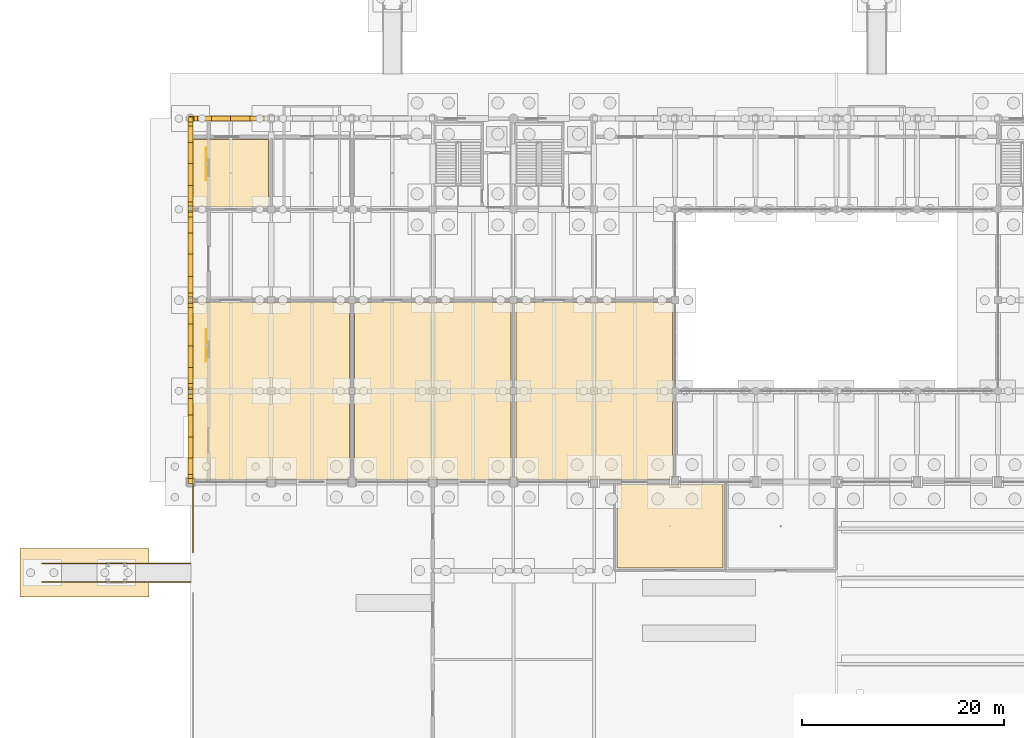
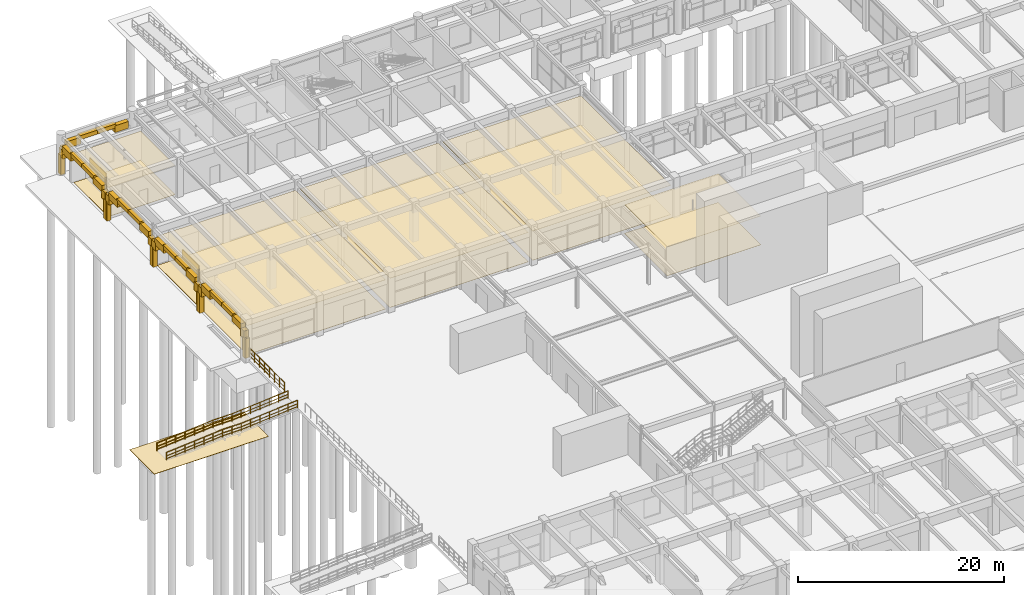
# One storey, part 137 of 147: 49 coverings, 3 railings, 2 shading devices.
"""IFC4 building model written with IfcOpenShell, lengths in metres."""

from ifc_helpers import new_model, si_unit, direction, frame, origin, origin_2d, place, context, subcontext, project, spatial, polyline, rectangle, circle, outline, extrude, material, layer, layer_set, type_object, element, save


model = new_model("IFC4")

# Units and contexts
model_context = context("Model", 3, precision=1e-05, world=origin(), true_north=direction((0.0, 1.0)))
body_context = subcontext(model_context, "Body", "Model", "MODEL_VIEW")
ifc_project = project(units=[si_unit("LENGTHUNIT", "METRE"), si_unit("AREAUNIT", "SQUARE_METRE"), si_unit("VOLUMEUNIT", "CUBIC_METRE"), si_unit("PLANEANGLEUNIT", "RADIAN"), si_unit("MASSUNIT", "GRAM", prefix="KILO")], contexts=[model_context])

# Site, building, storey
site_placement = place(None, origin())
site = spatial("IfcSite", under=ifc_project, at=site_placement, CompositionType="ELEMENT")
building_placement = place(site_placement, origin())
building = spatial("IfcBuilding", under=site, at=building_placement, Name="Varnabhumi Central Station", CompositionType="ELEMENT")
storey_placement = place(building_placement, origin())
storey = spatial("IfcBuildingStorey", under=building, at=storey_placement, Name="L00", CompositionType="ELEMENT", Elevation=0.0)

# Coverings
ifc_material_1 = material(Name="Mineral-fibre acoustic tile")
ifc_layer_1 = layer(ifc_material_1, 0.02490234375, Name="Mineral-fibre acoustic tile")
ifc_layer_set_1 = layer_set([ifc_layer_1], Name="Mineral-fibre acoustic tile")
covering_type_1 = type_object("IfcCoveringType", Name="COV-CEIL-ACOUSTIC", PredefinedType="CEILING", material=ifc_layer_set_1)
covering_1_placement = place(storey_placement, frame((0.0, 0.0, 3.419921875)))
element("IfcCovering", 1, at=covering_1_placement, inside=storey, type_object=covering_type_1, Name="Divyangjan Help Booth and Enquiry Acoustic Ceiling", PredefinedType="CEILING", context=body_context, shape_type="SweptSolid", body=[
    extrude(outline(polyline([(42.25, 71.449951171875), (52.75, 71.449951171875), (52.75, 79.75), (42.25, 79.75), (42.25, 71.449951171875)])), origin(), (0.0, 0.0, 1.0), 0.025146484375),
])
covering_2_placement = place(storey_placement, frame((0.0, 0.0, 3.469970703125)))
element("IfcCovering", 2, at=covering_2_placement, inside=storey, type_object=covering_type_1, Name="Station First Aid and Medical Room Acoustic Ceiling", PredefinedType="CEILING", context=body_context, shape_type="SweptSolid", body=[
    extrude(outline(polyline([(0.25, 107.25), (7.75, 107.25), (7.75, 113.949951171875), (0.25, 113.949951171875), (0.25, 107.25)])), origin(), (0.0, 0.0, 1.0), 0.025146484375),
])
covering_3_placement = place(storey_placement, frame((0.0, 0.0, 3.469970703125)))
element("IfcCovering", 3, at=covering_3_placement, inside=storey, type_object=covering_type_1, Name="Travel Convenience Shop 04 Acoustic Ceiling", PredefinedType="CEILING", context=body_context, shape_type="SweptSolid", body=[
    extrude(outline(polyline([(0.25, 80.25), (15.75, 80.25), (15.75, 97.75), (0.25, 97.75), (0.25, 80.25)])), origin(), (0.0, 0.0, 1.0), 0.025146484375),
])
covering_4_placement = place(storey_placement, frame((0.0, 0.0, 3.469970703125)))
element("IfcCovering", 4, at=covering_4_placement, inside=storey, type_object=covering_type_1, Name="Bakery and Tea Kiosk Acoustic Ceiling", PredefinedType="CEILING", context=body_context, shape_type="SweptSolid", body=[
    extrude(outline(polyline([(16.25, 80.25), (31.75, 80.25), (31.75, 97.75), (16.25, 97.75), (16.25, 80.25)])), origin(), (0.0, 0.0, 1.0), 0.025146484375),
])
covering_5_placement = place(storey_placement, frame((0.0, 0.0, 3.469970703125)))
element("IfcCovering", 5, at=covering_5_placement, inside=storey, type_object=covering_type_1, Name="Luggage and Travel Gear Shop Acoustic Ceiling", PredefinedType="CEILING", context=body_context, shape_type="SweptSolid", body=[
    extrude(outline(polyline([(32.25, 80.25), (47.75, 80.25), (47.75, 97.75), (32.25, 97.75), (32.25, 80.25)])), origin(), (0.0, 0.0, 1.0), 0.025146484375),
])
ifc_material_2 = material(Name="Vitrified granite stone flooring", Category="masonry")
ifc_layer_2 = layer(ifc_material_2, 0.030029296875, Name="Vitrified granite stone flooring", Category="masonry")
ifc_layer_set_2 = layer_set([ifc_layer_2], Name="Vitrified granite stone flooring")
covering_type_2 = type_object("IfcCoveringType", Name="COV-FLOR-GRANITE", PredefinedType="FLOORING", material=ifc_layer_set_2)
covering_6_placement = place(storey_placement, frame((0.0, 0.0, -1.0849609375)))
element("IfcCovering", 6, at=covering_6_placement, inside=storey, type_object=covering_type_2, Name="Street Forecourt Granite Plaza Apron RMP-FC-N", PredefinedType="FLOORING", context=body_context, shape_type="SweptSolid", body=[
    extrude(outline(polyline([(-16.89990234375, 68.60009765625), (-4.10009765625, 68.60009765625), (-4.10009765625, 73.39990234375), (-16.89990234375, 73.39990234375), (-16.89990234375, 68.60009765625)])), origin(), (0.0, 0.0, 1.0), 0.034912109375),
])
covering_7_placement = place(storey_placement, origin())
element("IfcCovering", 7, at=covering_7_placement, inside=storey, type_object=covering_type_2, Name="Divyangjan Help Booth and Enquiry Granite Flooring", PredefinedType="FLOORING", context=body_context, shape_type="SweptSolid", body=[
    extrude(outline(polyline([(42.25, 71.449951171875), (52.75, 71.449951171875), (52.75, 79.75), (42.25, 79.75), (42.25, 71.449951171875)])), origin(), (0.0, 0.0, 1.0), 0.030029296875),
])
covering_8_placement = place(storey_placement, origin())
element("IfcCovering", 8, at=covering_8_placement, inside=storey, type_object=covering_type_2, Name="Station First Aid and Medical Room Granite Flooring", PredefinedType="FLOORING", context=body_context, shape_type="SweptSolid", body=[
    extrude(outline(polyline([(0.25, 107.25), (7.75, 107.25), (7.75, 113.949951171875), (0.25, 113.949951171875), (0.25, 107.25)])), origin(), (0.0, 0.0, 1.0), 0.030029296875),
])
covering_9_placement = place(storey_placement, origin())
element("IfcCovering", 9, at=covering_9_placement, inside=storey, type_object=covering_type_2, Name="Travel Convenience Shop 04 Granite Flooring", PredefinedType="FLOORING", context=body_context, shape_type="SweptSolid", body=[
    extrude(outline(polyline([(0.25, 80.25), (15.75, 80.25), (15.75, 97.75), (0.25, 97.75), (0.25, 80.25)])), origin(), (0.0, 0.0, 1.0), 0.030029296875),
])
covering_10_placement = place(storey_placement, origin())
element("IfcCovering", 10, at=covering_10_placement, inside=storey, type_object=covering_type_2, Name="Bakery and Tea Kiosk Granite Flooring", PredefinedType="FLOORING", context=body_context, shape_type="SweptSolid", body=[
    extrude(outline(polyline([(16.25, 80.25), (31.75, 80.25), (31.75, 97.75), (16.25, 97.75), (16.25, 80.25)])), origin(), (0.0, 0.0, 1.0), 0.030029296875),
])
covering_11_placement = place(storey_placement, origin())
element("IfcCovering", 11, at=covering_11_placement, inside=storey, type_object=covering_type_2, Name="Luggage and Travel Gear Shop Granite Flooring", PredefinedType="FLOORING", context=body_context, shape_type="SweptSolid", body=[
    extrude(outline(polyline([(32.25, 80.25), (47.75, 80.25), (47.75, 97.75), (32.25, 97.75), (32.25, 80.25)])), origin(), (0.0, 0.0, 1.0), 0.030029296875),
])
ifc_material_3 = material(Name="Terracotta clay Mission barrel tile", Category="masonry")
ifc_layer_3 = layer(ifc_material_3, 0.02001953125, Name="Terracotta clay Mission barrel tile", Category="masonry")
ifc_layer_set_3 = layer_set([ifc_layer_3], Name="Terracotta clay Mission barrel tile")
covering_type_3 = type_object("IfcCoveringType", Name="COV-WALL-FAIENCE", PredefinedType="CLADDING", material=ifc_layer_set_3)
covering_12_placement = place(storey_placement, frame((0.342529296875, 116.0, 2.110107421875), z_axis=(0.0, 0.0, 1.0), x_axis=(1.0, 0.0, 0.0)))
element("IfcCovering", 12, at=covering_12_placement, inside=storey, type_object=covering_type_3, Name="North Boulevard Portales Arch 1 Stone Voussoir 1", PredefinedType="CLADDING", context=body_context, shape_type="SweptSolid", body=[
    extrude(rectangle(XDim=0.64501953125, YDim=0.47998046875, at=origin_2d()), origin(), (0.0, 0.0, 1.0), 1.0048828125),
])
covering_13_placement = place(storey_placement, frame((1.322509765625, 116.0, 2.8349609375), z_axis=(0.0, 0.0, 1.0), x_axis=(1.0, 0.0, 0.0)))
element("IfcCovering", 13, at=covering_13_placement, inside=storey, type_object=covering_type_3, Name="North Boulevard Portales Arch 1 Stone Voussoir 2", PredefinedType="CLADDING", context=body_context, shape_type="SweptSolid", body=[
    extrude(rectangle(XDim=1.554931640625, YDim=0.47998046875, at=origin_2d()), origin(), (0.0, 0.0, 1.0), 0.81103515625),
])
for number, where, z_axis, x_axis, name in (
    (14, (3.02001953125, 116.0, 3.365966796875), (0.0, 0.0, 1.0), (1.0, 0.0, 0.0), "North Boulevard Portales Arch 1 Stone Voussoir 3"),
    (15, (4.97998046875, 116.0, 3.365966796875), (0.0, 0.0, 1.0), (1.0, 0.0, 0.0), "North Boulevard Portales Arch 1 Stone Voussoir 4"),
):
    element("IfcCovering", number, at=place(storey_placement, frame(where, z_axis=z_axis, x_axis=x_axis)), inside=storey, type_object=covering_type_3, Name=name, PredefinedType="CLADDING", context=body_context, shape_type="SweptSolid", body=[
        extrude(rectangle(XDim=2.080078125, YDim=0.47998046875, at=origin_2d()), origin(), (0.0, 0.0, 1.0), 0.47412109375),
    ])
covering_14_placement = place(storey_placement, frame((6.677490234375, 116.0, 2.8349609375), z_axis=(0.0, 0.0, 1.0), x_axis=(1.0, 0.0, 0.0)))
element("IfcCovering", 16, at=covering_14_placement, inside=storey, type_object=covering_type_3, Name="North Boulevard Portales Arch 1 Stone Voussoir 5", PredefinedType="CLADDING", context=body_context, shape_type="SweptSolid", body=[
    extrude(rectangle(XDim=1.554931640625, YDim=0.47998046875, at=origin_2d()), origin(), (0.0, 0.0, 1.0), 0.81103515625),
])
covering_15_placement = place(storey_placement, frame((0.080078125, 116.0, -0.02001953125), z_axis=(0.0, 0.0, 1.0), x_axis=(1.0, 0.0, 0.0)))
element("IfcCovering", 17, at=covering_15_placement, inside=storey, type_object=covering_type_3, Name="North Boulevard Portales Arch 1 Classical Pilaster 1", PredefinedType="CLADDING", context=body_context, shape_type="SweptSolid", body=[
    extrude(rectangle(XDim=0.47998046875, YDim=0.47998046875, at=origin_2d()), origin(), (0.0, 0.0, 1.0), 2.2900390625),
])
covering_16_placement = place(storey_placement, frame((0.0, 80.3759765625, 2.159912109375), z_axis=(0.0, 0.0, 1.0), x_axis=(0.0, 1.0, 0.0)))
element("IfcCovering", 18, at=covering_16_placement, inside=storey, type_object=covering_type_3, Name="Forecourt East Colonnade Arch 5 Stone Voussoir 1", PredefinedType="CLADDING", context=body_context, shape_type="SweptSolid", body=[
    extrude(rectangle(XDim=0.7119140625, YDim=0.47998046875, at=origin_2d()), origin(), (0.0, 0.0, 1.0), 0.97998046875),
])
covering_17_placement = place(storey_placement, frame((0.0, 81.48095703125, 2.860107421875), z_axis=(0.0, 0.0, 1.0), x_axis=(0.0, 1.0, 0.0)))
element("IfcCovering", 19, at=covering_17_placement, inside=storey, type_object=covering_type_3, Name="Forecourt East Colonnade Arch 5 Stone Voussoir 2", PredefinedType="CLADDING", context=body_context, shape_type="SweptSolid", body=[
    extrude(rectangle(XDim=1.738037109375, YDim=0.47998046875, at=origin_2d()), origin(), (0.0, 0.0, 1.0), 0.7919921875),
])
for number, where, z_axis, x_axis, name in (
    (20, (0.0, 83.39501953125, 3.3720703125), (0.0, 0.0, 1.0), (0.0, 1.0, 0.0), "Forecourt East Colonnade Arch 5 Stone Voussoir 3"),
    (21, (0.0, 85.60498046875, 3.3720703125), (0.0, 0.0, 1.0), (0.0, 1.0, 0.0), "Forecourt East Colonnade Arch 5 Stone Voussoir 4"),
):
    element("IfcCovering", number, at=place(storey_placement, frame(where, z_axis=z_axis, x_axis=x_axis)), inside=storey, type_object=covering_type_3, Name=name, PredefinedType="CLADDING", context=body_context, shape_type="SweptSolid", body=[
        extrude(rectangle(XDim=2.330078125, YDim=0.47998046875, at=origin_2d()), origin(), (0.0, 0.0, 1.0), 0.468017578125),
    ])
covering_18_placement = place(storey_placement, frame((0.0, 87.51904296875, 2.860107421875), z_axis=(0.0, 0.0, 1.0), x_axis=(0.0, 1.0, 0.0)))
element("IfcCovering", 22, at=covering_18_placement, inside=storey, type_object=covering_type_3, Name="Forecourt East Colonnade Arch 5 Stone Voussoir 5", PredefinedType="CLADDING", context=body_context, shape_type="SweptSolid", body=[
    extrude(rectangle(XDim=1.738037109375, YDim=0.47998046875, at=origin_2d()), origin(), (0.0, 0.0, 1.0), 0.7919921875),
])
covering_19_placement = place(storey_placement, frame((0.0, 88.6240234375, 2.159912109375), z_axis=(0.0, 0.0, 1.0), x_axis=(0.0, 1.0, 0.0)))
element("IfcCovering", 23, at=covering_19_placement, inside=storey, type_object=covering_type_3, Name="Forecourt East Colonnade Arch 5 Stone Voussoir 6", PredefinedType="CLADDING", context=body_context, shape_type="SweptSolid", body=[
    extrude(rectangle(XDim=0.7119140625, YDim=0.47998046875, at=origin_2d()), origin(), (0.0, 0.0, 1.0), 0.97998046875),
])
for number, where, z_axis, x_axis, name in (
    (24, (0.0, 80.080078125, -0.02001953125), (0.0, 0.0, 1.0), (1.0, 0.0, 0.0), "Forecourt East Colonnade Arch 5 Classical Pilaster 1"),
    (25, (0.0, 88.919921875, -0.02001953125), (0.0, 0.0, 1.0), (1.0, 0.0, 0.0), "Forecourt East Colonnade Arch 5 Classical Pilaster 2"),
):
    element("IfcCovering", number, at=place(storey_placement, frame(where, z_axis=z_axis, x_axis=x_axis)), inside=storey, type_object=covering_type_3, Name=name, PredefinedType="CLADDING", context=body_context, shape_type="SweptSolid", body=[
        extrude(rectangle(XDim=0.47998046875, YDim=0.47998046875, at=origin_2d()), origin(), (0.0, 0.0, 1.0), 2.340087890625),
    ])
covering_20_placement = place(storey_placement, frame((0.0, 89.3759765625, 2.159912109375), z_axis=(0.0, 0.0, 1.0), x_axis=(0.0, 1.0, 0.0)))
element("IfcCovering", 26, at=covering_20_placement, inside=storey, type_object=covering_type_3, Name="Forecourt East Colonnade Arch 6 Stone Voussoir 1", PredefinedType="CLADDING", context=body_context, shape_type="SweptSolid", body=[
    extrude(rectangle(XDim=0.7119140625, YDim=0.47998046875, at=origin_2d()), origin(), (0.0, 0.0, 1.0), 0.97998046875),
])
covering_21_placement = place(storey_placement, frame((0.0, 90.48095703125, 2.860107421875), z_axis=(0.0, 0.0, 1.0), x_axis=(0.0, 1.0, 0.0)))
element("IfcCovering", 27, at=covering_21_placement, inside=storey, type_object=covering_type_3, Name="Forecourt East Colonnade Arch 6 Stone Voussoir 2", PredefinedType="CLADDING", context=body_context, shape_type="SweptSolid", body=[
    extrude(rectangle(XDim=1.738037109375, YDim=0.47998046875, at=origin_2d()), origin(), (0.0, 0.0, 1.0), 0.7919921875),
])
for number, where, z_axis, x_axis, name in (
    (28, (0.0, 92.39501953125, 3.3720703125), (0.0, 0.0, 1.0), (0.0, 1.0, 0.0), "Forecourt East Colonnade Arch 6 Stone Voussoir 3"),
    (29, (0.0, 94.60498046875, 3.3720703125), (0.0, 0.0, 1.0), (0.0, 1.0, 0.0), "Forecourt East Colonnade Arch 6 Stone Voussoir 4"),
):
    element("IfcCovering", number, at=place(storey_placement, frame(where, z_axis=z_axis, x_axis=x_axis)), inside=storey, type_object=covering_type_3, Name=name, PredefinedType="CLADDING", context=body_context, shape_type="SweptSolid", body=[
        extrude(rectangle(XDim=2.330078125, YDim=0.47998046875, at=origin_2d()), origin(), (0.0, 0.0, 1.0), 0.468017578125),
    ])
covering_22_placement = place(storey_placement, frame((0.0, 96.51904296875, 2.860107421875), z_axis=(0.0, 0.0, 1.0), x_axis=(0.0, 1.0, 0.0)))
element("IfcCovering", 30, at=covering_22_placement, inside=storey, type_object=covering_type_3, Name="Forecourt East Colonnade Arch 6 Stone Voussoir 5", PredefinedType="CLADDING", context=body_context, shape_type="SweptSolid", body=[
    extrude(rectangle(XDim=1.738037109375, YDim=0.47998046875, at=origin_2d()), origin(), (0.0, 0.0, 1.0), 0.7919921875),
])
covering_23_placement = place(storey_placement, frame((0.0, 97.6240234375, 2.159912109375), z_axis=(0.0, 0.0, 1.0), x_axis=(0.0, 1.0, 0.0)))
element("IfcCovering", 31, at=covering_23_placement, inside=storey, type_object=covering_type_3, Name="Forecourt East Colonnade Arch 6 Stone Voussoir 6", PredefinedType="CLADDING", context=body_context, shape_type="SweptSolid", body=[
    extrude(rectangle(XDim=0.7119140625, YDim=0.47998046875, at=origin_2d()), origin(), (0.0, 0.0, 1.0), 0.97998046875),
])
for number, where, z_axis, x_axis, name in (
    (32, (0.0, 89.080078125, -0.02001953125), (0.0, 0.0, 1.0), (1.0, 0.0, 0.0), "Forecourt East Colonnade Arch 6 Classical Pilaster 1"),
    (33, (0.0, 97.919921875, -0.02001953125), (0.0, 0.0, 1.0), (1.0, 0.0, 0.0), "Forecourt East Colonnade Arch 6 Classical Pilaster 2"),
):
    element("IfcCovering", number, at=place(storey_placement, frame(where, z_axis=z_axis, x_axis=x_axis)), inside=storey, type_object=covering_type_3, Name=name, PredefinedType="CLADDING", context=body_context, shape_type="SweptSolid", body=[
        extrude(rectangle(XDim=0.47998046875, YDim=0.47998046875, at=origin_2d()), origin(), (0.0, 0.0, 1.0), 2.340087890625),
    ])
covering_24_placement = place(storey_placement, frame((0.0, 98.3759765625, 2.159912109375), z_axis=(0.0, 0.0, 1.0), x_axis=(0.0, 1.0, 0.0)))
element("IfcCovering", 34, at=covering_24_placement, inside=storey, type_object=covering_type_3, Name="Forecourt East Colonnade Arch 7 Stone Voussoir 1", PredefinedType="CLADDING", context=body_context, shape_type="SweptSolid", body=[
    extrude(rectangle(XDim=0.7119140625, YDim=0.47998046875, at=origin_2d()), origin(), (0.0, 0.0, 1.0), 0.97998046875),
])
covering_25_placement = place(storey_placement, frame((0.0, 99.48095703125, 2.860107421875), z_axis=(0.0, 0.0, 1.0), x_axis=(0.0, 1.0, 0.0)))
element("IfcCovering", 35, at=covering_25_placement, inside=storey, type_object=covering_type_3, Name="Forecourt East Colonnade Arch 7 Stone Voussoir 2", PredefinedType="CLADDING", context=body_context, shape_type="SweptSolid", body=[
    extrude(rectangle(XDim=1.738037109375, YDim=0.47998046875, at=origin_2d()), origin(), (0.0, 0.0, 1.0), 0.7919921875),
])
for number, where, z_axis, x_axis, name in (
    (36, (0.0, 101.39501953125, 3.3720703125), (0.0, 0.0, 1.0), (0.0, 1.0, 0.0), "Forecourt East Colonnade Arch 7 Stone Voussoir 3"),
    (37, (0.0, 103.60498046875, 3.3720703125), (0.0, 0.0, 1.0), (0.0, 1.0, 0.0), "Forecourt East Colonnade Arch 7 Stone Voussoir 4"),
):
    element("IfcCovering", number, at=place(storey_placement, frame(where, z_axis=z_axis, x_axis=x_axis)), inside=storey, type_object=covering_type_3, Name=name, PredefinedType="CLADDING", context=body_context, shape_type="SweptSolid", body=[
        extrude(rectangle(XDim=2.330078125, YDim=0.47998046875, at=origin_2d()), origin(), (0.0, 0.0, 1.0), 0.468017578125),
    ])
covering_26_placement = place(storey_placement, frame((0.0, 105.51904296875, 2.860107421875), z_axis=(0.0, 0.0, 1.0), x_axis=(0.0, 1.0, 0.0)))
element("IfcCovering", 38, at=covering_26_placement, inside=storey, type_object=covering_type_3, Name="Forecourt East Colonnade Arch 7 Stone Voussoir 5", PredefinedType="CLADDING", context=body_context, shape_type="SweptSolid", body=[
    extrude(rectangle(XDim=1.738037109375, YDim=0.47998046875, at=origin_2d()), origin(), (0.0, 0.0, 1.0), 0.7919921875),
])
covering_27_placement = place(storey_placement, frame((0.0, 106.6240234375, 2.159912109375), z_axis=(0.0, 0.0, 1.0), x_axis=(0.0, 1.0, 0.0)))
element("IfcCovering", 39, at=covering_27_placement, inside=storey, type_object=covering_type_3, Name="Forecourt East Colonnade Arch 7 Stone Voussoir 6", PredefinedType="CLADDING", context=body_context, shape_type="SweptSolid", body=[
    extrude(rectangle(XDim=0.7119140625, YDim=0.47998046875, at=origin_2d()), origin(), (0.0, 0.0, 1.0), 0.97998046875),
])
for number, where, z_axis, x_axis, name in (
    (40, (0.0, 98.080078125, -0.02001953125), (0.0, 0.0, 1.0), (1.0, 0.0, 0.0), "Forecourt East Colonnade Arch 7 Classical Pilaster 1"),
    (41, (0.0, 106.919921875, -0.02001953125), (0.0, 0.0, 1.0), (1.0, 0.0, 0.0), "Forecourt East Colonnade Arch 7 Classical Pilaster 2"),
):
    element("IfcCovering", number, at=place(storey_placement, frame(where, z_axis=z_axis, x_axis=x_axis)), inside=storey, type_object=covering_type_3, Name=name, PredefinedType="CLADDING", context=body_context, shape_type="SweptSolid", body=[
        extrude(rectangle(XDim=0.47998046875, YDim=0.47998046875, at=origin_2d()), origin(), (0.0, 0.0, 1.0), 2.340087890625),
    ])
covering_28_placement = place(storey_placement, frame((0.0, 107.3759765625, 2.159912109375), z_axis=(0.0, 0.0, 1.0), x_axis=(0.0, 1.0, 0.0)))
element("IfcCovering", 42, at=covering_28_placement, inside=storey, type_object=covering_type_3, Name="Forecourt East Colonnade Arch 8 Stone Voussoir 1", PredefinedType="CLADDING", context=body_context, shape_type="SweptSolid", body=[
    extrude(rectangle(XDim=0.7119140625, YDim=0.47998046875, at=origin_2d()), origin(), (0.0, 0.0, 1.0), 0.97998046875),
])
covering_29_placement = place(storey_placement, frame((0.0, 108.48095703125, 2.860107421875), z_axis=(0.0, 0.0, 1.0), x_axis=(0.0, 1.0, 0.0)))
element("IfcCovering", 43, at=covering_29_placement, inside=storey, type_object=covering_type_3, Name="Forecourt East Colonnade Arch 8 Stone Voussoir 2", PredefinedType="CLADDING", context=body_context, shape_type="SweptSolid", body=[
    extrude(rectangle(XDim=1.738037109375, YDim=0.47998046875, at=origin_2d()), origin(), (0.0, 0.0, 1.0), 0.7919921875),
])
for number, where, z_axis, x_axis, name in (
    (44, (0.0, 110.39501953125, 3.3720703125), (0.0, 0.0, 1.0), (0.0, 1.0, 0.0), "Forecourt East Colonnade Arch 8 Stone Voussoir 3"),
    (45, (0.0, 112.60498046875, 3.3720703125), (0.0, 0.0, 1.0), (0.0, 1.0, 0.0), "Forecourt East Colonnade Arch 8 Stone Voussoir 4"),
):
    element("IfcCovering", number, at=place(storey_placement, frame(where, z_axis=z_axis, x_axis=x_axis)), inside=storey, type_object=covering_type_3, Name=name, PredefinedType="CLADDING", context=body_context, shape_type="SweptSolid", body=[
        extrude(rectangle(XDim=2.330078125, YDim=0.47998046875, at=origin_2d()), origin(), (0.0, 0.0, 1.0), 0.468017578125),
    ])
covering_30_placement = place(storey_placement, frame((0.0, 114.51904296875, 2.860107421875), z_axis=(0.0, 0.0, 1.0), x_axis=(0.0, 1.0, 0.0)))
element("IfcCovering", 46, at=covering_30_placement, inside=storey, type_object=covering_type_3, Name="Forecourt East Colonnade Arch 8 Stone Voussoir 5", PredefinedType="CLADDING", context=body_context, shape_type="SweptSolid", body=[
    extrude(rectangle(XDim=1.738037109375, YDim=0.47998046875, at=origin_2d()), origin(), (0.0, 0.0, 1.0), 0.7919921875),
])
covering_31_placement = place(storey_placement, frame((0.0, 115.6240234375, 2.159912109375), z_axis=(0.0, 0.0, 1.0), x_axis=(0.0, 1.0, 0.0)))
element("IfcCovering", 47, at=covering_31_placement, inside=storey, type_object=covering_type_3, Name="Forecourt East Colonnade Arch 8 Stone Voussoir 6", PredefinedType="CLADDING", context=body_context, shape_type="SweptSolid", body=[
    extrude(rectangle(XDim=0.7119140625, YDim=0.47998046875, at=origin_2d()), origin(), (0.0, 0.0, 1.0), 0.97998046875),
])
for number, where, z_axis, x_axis, name in (
    (48, (0.0, 107.080078125, -0.02001953125), (0.0, 0.0, 1.0), (1.0, 0.0, 0.0), "Forecourt East Colonnade Arch 8 Classical Pilaster 1"),
    (49, (0.0, 115.919921875, -0.02001953125), (0.0, 0.0, 1.0), (1.0, 0.0, 0.0), "Forecourt East Colonnade Arch 8 Classical Pilaster 2"),
):
    element("IfcCovering", number, at=place(storey_placement, frame(where, z_axis=z_axis, x_axis=x_axis)), inside=storey, type_object=covering_type_3, Name=name, PredefinedType="CLADDING", context=body_context, shape_type="SweptSolid", body=[
        extrude(rectangle(XDim=0.47998046875, YDim=0.47998046875, at=origin_2d()), origin(), (0.0, 0.0, 1.0), 2.340087890625),
    ])

# Railings
ifc_material_4 = material(Name="Stainless steel Grade 316", Category="steel")
railing_type_1 = type_object("IfcRailingType", Name="RAIL-BALUST-1150", PredefinedType="BALUSTRADE", material=ifc_material_4)
railing_1_placement = place(storey_placement, frame((0.25, 73.0, 0.0)))
element("IfcRailing", 50, at=railing_1_placement, inside=storey, type_object=railing_type_1, Name="Forecourt Plinth Edge Balustrade 3", PredefinedType="BALUSTRADE", context=body_context, shape_type="SweptSolid", body=[
    extrude(circle(Radius=0.02392578125, at=origin_2d()), frame((0.0, 0.0, 1.1259765625), z_axis=(0.0, 1.0, 0.0), x_axis=(-1.0, 0.0, 0.0)), (0.0, 0.0, 1.0), 6.800048828125),
    extrude(circle(Radius=0.01416015625, at=origin_2d()), frame((0.0, 0.0, 0.597900390625), z_axis=(0.0, 1.0, 0.0), x_axis=(-1.0, 0.0, 0.0)), (0.0, 0.0, 1.0), 6.800048828125),
    extrude(circle(Radius=0.01416015625, at=origin_2d()), frame((0.0, 0.0, 0.18408203125), z_axis=(0.0, 1.0, 0.0), x_axis=(-1.0, 0.0, 0.0)), (0.0, 0.0, 1.0), 6.800048828125),
    extrude(circle(Radius=0.02099609375, at=origin_2d()), origin(), (0.0, 0.0, 1.0), 1.101806640625),
    extrude(circle(Radius=0.02099609375, at=origin_2d()), frame((0.0, 0.971435546875, 0.0)), (0.0, 0.0, 1.0), 1.101806640625),
    extrude(circle(Radius=0.02099609375, at=origin_2d()), frame((0.0, 1.94287109375, 0.0)), (0.0, 0.0, 1.0), 1.101806640625),
    extrude(circle(Radius=0.02099609375, at=origin_2d()), frame((0.0, 2.914306640625, 0.0)), (0.0, 0.0, 1.0), 1.101806640625),
    extrude(circle(Radius=0.02099609375, at=origin_2d()), frame((0.0, 3.8857421875, 0.0)), (0.0, 0.0, 1.0), 1.101806640625),
    extrude(circle(Radius=0.02099609375, at=origin_2d()), frame((0.0, 4.857177734375, 0.0)), (0.0, 0.0, 1.0), 1.101806640625),
    extrude(circle(Radius=0.02099609375, at=origin_2d()), frame((0.0, 5.82861328125, 0.0)), (0.0, 0.0, 1.0), 1.101806640625),
    extrude(circle(Radius=0.02099609375, at=origin_2d()), frame((0.0, 6.800048828125, 0.0)), (0.0, 0.0, 1.0), 1.101806640625),
])
railing_type_2 = type_object("IfcRailingType", Name="RAIL-RAMP-920", PredefinedType="HANDRAIL", material=ifc_material_4)
railing_2_placement = place(storey_placement, frame((-14.699951171875, 71.919921875, -1.050048828125)))
element("IfcRailing", 51, at=railing_2_placement, inside=storey, type_object=railing_type_2, Name="RMP-FC-N Handrail L", PredefinedType="HANDRAIL", context=body_context, shape_type="SweptSolid", body=[
    extrude(circle(Radius=0.02392578125, at=origin_2d()), frame((0.0, 0.0, 0.89599609375), z_axis=(0.996543893665, 0.0, 0.083067851783), x_axis=(0.0, 1.0, 0.0)), (0.0, 0.0, 1.0), 6.32177734375),
    extrude(circle(Radius=0.01416015625, at=origin_2d()), frame((0.0, 0.0, 0.478271484375), z_axis=(0.996543893665, 0.0, 0.083067851783), x_axis=(0.0, 1.0, 0.0)), (0.0, 0.0, 1.0), 6.32177734375),
    extrude(circle(Radius=0.01416015625, at=origin_2d()), frame((0.0, 0.0, 0.147216796875), z_axis=(0.996543893665, 0.0, 0.083067851783), x_axis=(0.0, 1.0, 0.0)), (0.0, 0.0, 1.0), 6.32177734375),
    extrude(circle(Radius=0.02392578125, at=origin_2d()), frame((6.300048828125, 0.0, 1.4208984375), z_axis=(1.0, 0.0, 0.0), x_axis=(0.0, 1.0, 0.0)), (0.0, 0.0, 1.0), 2.099853515625),
    extrude(circle(Radius=0.01416015625, at=origin_2d()), frame((6.300048828125, 0.0, 1.00341796875), z_axis=(1.0, 0.0, 0.0), x_axis=(0.0, 1.0, 0.0)), (0.0, 0.0, 1.0), 2.099853515625),
    extrude(circle(Radius=0.01416015625, at=origin_2d()), frame((6.300048828125, 0.0, 0.67236328125), z_axis=(1.0, 0.0, 0.0), x_axis=(0.0, 1.0, 0.0)), (0.0, 0.0, 1.0), 2.099853515625),
    extrude(circle(Radius=0.02392578125, at=origin_2d()), frame((8.39990234375, 0.0, 1.4208984375), z_axis=(0.996547089785, 0.0, 0.083029499827), x_axis=(0.0, 1.0, 0.0)), (0.0, 0.0, 1.0), 6.32177734375),
    extrude(circle(Radius=0.01416015625, at=origin_2d()), frame((8.39990234375, 0.0, 1.00341796875), z_axis=(0.996547089785, 0.0, 0.083029499827), x_axis=(0.0, 1.0, 0.0)), (0.0, 0.0, 1.0), 6.32177734375),
    extrude(circle(Radius=0.01416015625, at=origin_2d()), frame((8.39990234375, 0.0, 0.67236328125), z_axis=(0.996547089785, 0.0, 0.083029499827), x_axis=(0.0, 1.0, 0.0)), (0.0, 0.0, 1.0), 6.32177734375),
    extrude(circle(Radius=0.02099609375, at=origin_2d()), origin(), (0.0, 0.0, 1.0), 0.871826171875),
    extrude(circle(Radius=0.02099609375, at=origin_2d()), frame((1.050048828125, 0.0, 0.08740234375)), (0.0, 0.0, 1.0), 0.871826171875),
    extrude(circle(Radius=0.02099609375, at=origin_2d()), frame((2.10009765625, 0.0, 0.175048828125)), (0.0, 0.0, 1.0), 0.871826171875),
    extrude(circle(Radius=0.02099609375, at=origin_2d()), frame((3.14990234375, 0.0, 0.2626953125)), (0.0, 0.0, 1.0), 0.871826171875),
    extrude(circle(Radius=0.02099609375, at=origin_2d()), frame((4.199951171875, 0.0, 0.35009765625)), (0.0, 0.0, 1.0), 0.871826171875),
    extrude(circle(Radius=0.02099609375, at=origin_2d()), frame((5.25, 0.0, 0.4375)), (0.0, 0.0, 1.0), 0.871826171875),
    extrude(circle(Radius=0.02099609375, at=origin_2d()), frame((6.300048828125, 0.0, 0.525146484375)), (0.0, 0.0, 1.0), 0.871826171875),
    extrude(circle(Radius=0.02099609375, at=origin_2d()), frame((7.35009765625, 0.0, 0.525146484375)), (0.0, 0.0, 1.0), 0.871826171875),
    extrude(circle(Radius=0.02099609375, at=origin_2d()), frame((8.39990234375, 0.0, 0.525146484375)), (0.0, 0.0, 1.0), 0.871826171875),
    extrude(circle(Radius=0.02099609375, at=origin_2d()), frame((9.449951171875, 0.0, 0.612548828125)), (0.0, 0.0, 1.0), 0.871826171875),
    extrude(circle(Radius=0.02099609375, at=origin_2d()), frame((10.5, 0.0, 0.7001953125)), (0.0, 0.0, 1.0), 0.871826171875),
    extrude(circle(Radius=0.02099609375, at=origin_2d()), frame((11.5498046875, 0.0, 0.78759765625)), (0.0, 0.0, 1.0), 0.871826171875),
    extrude(circle(Radius=0.02099609375, at=origin_2d()), frame((12.599853515625, 0.0, 0.875)), (0.0, 0.0, 1.0), 0.871826171875),
    extrude(circle(Radius=0.02099609375, at=origin_2d()), frame((13.64990234375, 0.0, 0.962646484375)), (0.0, 0.0, 1.0), 0.871826171875),
    extrude(circle(Radius=0.02099609375, at=origin_2d()), frame((14.699951171875, 0.0, 1.050048828125)), (0.0, 0.0, 1.0), 0.871826171875),
])
railing_3_placement = place(storey_placement, frame((-14.699951171875, 70.080078125, -1.050048828125)))
element("IfcRailing", 52, at=railing_3_placement, inside=storey, type_object=railing_type_2, Name="RMP-FC-N Handrail R", PredefinedType="HANDRAIL", context=body_context, shape_type="SweptSolid", body=[
    extrude(circle(Radius=0.02392578125, at=origin_2d()), frame((0.0, 0.0, 0.89599609375), z_axis=(0.996543893665, 0.0, 0.083067851783), x_axis=(0.0, 1.0, 0.0)), (0.0, 0.0, 1.0), 6.32177734375),
    extrude(circle(Radius=0.01416015625, at=origin_2d()), frame((0.0, 0.0, 0.478271484375), z_axis=(0.996543893665, 0.0, 0.083067851783), x_axis=(0.0, 1.0, 0.0)), (0.0, 0.0, 1.0), 6.32177734375),
    extrude(circle(Radius=0.01416015625, at=origin_2d()), frame((0.0, 0.0, 0.147216796875), z_axis=(0.996543893665, 0.0, 0.083067851783), x_axis=(0.0, 1.0, 0.0)), (0.0, 0.0, 1.0), 6.32177734375),
    extrude(circle(Radius=0.02392578125, at=origin_2d()), frame((6.300048828125, 0.0, 1.4208984375), z_axis=(1.0, 0.0, 0.0), x_axis=(0.0, 1.0, 0.0)), (0.0, 0.0, 1.0), 2.099853515625),
    extrude(circle(Radius=0.01416015625, at=origin_2d()), frame((6.300048828125, 0.0, 1.00341796875), z_axis=(1.0, 0.0, 0.0), x_axis=(0.0, 1.0, 0.0)), (0.0, 0.0, 1.0), 2.099853515625),
    extrude(circle(Radius=0.01416015625, at=origin_2d()), frame((6.300048828125, 0.0, 0.67236328125), z_axis=(1.0, 0.0, 0.0), x_axis=(0.0, 1.0, 0.0)), (0.0, 0.0, 1.0), 2.099853515625),
    extrude(circle(Radius=0.02392578125, at=origin_2d()), frame((8.39990234375, 0.0, 1.4208984375), z_axis=(0.996547089785, 0.0, 0.083029499827), x_axis=(0.0, 1.0, 0.0)), (0.0, 0.0, 1.0), 6.32177734375),
    extrude(circle(Radius=0.01416015625, at=origin_2d()), frame((8.39990234375, 0.0, 1.00341796875), z_axis=(0.996547089785, 0.0, 0.083029499827), x_axis=(0.0, 1.0, 0.0)), (0.0, 0.0, 1.0), 6.32177734375),
    extrude(circle(Radius=0.01416015625, at=origin_2d()), frame((8.39990234375, 0.0, 0.67236328125), z_axis=(0.996547089785, 0.0, 0.083029499827), x_axis=(0.0, 1.0, 0.0)), (0.0, 0.0, 1.0), 6.32177734375),
    extrude(circle(Radius=0.02099609375, at=origin_2d()), origin(), (0.0, 0.0, 1.0), 0.871826171875),
    extrude(circle(Radius=0.02099609375, at=origin_2d()), frame((1.050048828125, 0.0, 0.08740234375)), (0.0, 0.0, 1.0), 0.871826171875),
    extrude(circle(Radius=0.02099609375, at=origin_2d()), frame((2.10009765625, 0.0, 0.175048828125)), (0.0, 0.0, 1.0), 0.871826171875),
    extrude(circle(Radius=0.02099609375, at=origin_2d()), frame((3.14990234375, 0.0, 0.2626953125)), (0.0, 0.0, 1.0), 0.871826171875),
    extrude(circle(Radius=0.02099609375, at=origin_2d()), frame((4.199951171875, 0.0, 0.35009765625)), (0.0, 0.0, 1.0), 0.871826171875),
    extrude(circle(Radius=0.02099609375, at=origin_2d()), frame((5.25, 0.0, 0.4375)), (0.0, 0.0, 1.0), 0.871826171875),
    extrude(circle(Radius=0.02099609375, at=origin_2d()), frame((6.300048828125, 0.0, 0.525146484375)), (0.0, 0.0, 1.0), 0.871826171875),
    extrude(circle(Radius=0.02099609375, at=origin_2d()), frame((7.35009765625, 0.0, 0.525146484375)), (0.0, 0.0, 1.0), 0.871826171875),
    extrude(circle(Radius=0.02099609375, at=origin_2d()), frame((8.39990234375, 0.0, 0.525146484375)), (0.0, 0.0, 1.0), 0.871826171875),
    extrude(circle(Radius=0.02099609375, at=origin_2d()), frame((9.449951171875, 0.0, 0.612548828125)), (0.0, 0.0, 1.0), 0.871826171875),
    extrude(circle(Radius=0.02099609375, at=origin_2d()), frame((10.5, 0.0, 0.7001953125)), (0.0, 0.0, 1.0), 0.871826171875),
    extrude(circle(Radius=0.02099609375, at=origin_2d()), frame((11.5498046875, 0.0, 0.78759765625)), (0.0, 0.0, 1.0), 0.871826171875),
    extrude(circle(Radius=0.02099609375, at=origin_2d()), frame((12.599853515625, 0.0, 0.875)), (0.0, 0.0, 1.0), 0.871826171875),
    extrude(circle(Radius=0.02099609375, at=origin_2d()), frame((13.64990234375, 0.0, 0.962646484375)), (0.0, 0.0, 1.0), 0.871826171875),
    extrude(circle(Radius=0.02099609375, at=origin_2d()), frame((14.699951171875, 0.0, 1.050048828125)), (0.0, 0.0, 1.0), 0.871826171875),
])

# Shading devices
ifc_layer_4 = layer(ifc_material_3, 0.080078125, Name="Terracotta clay Mission barrel tile", Category="masonry")
ifc_layer_set_4 = layer_set([ifc_layer_4], Name="Terracotta clay Mission barrel tile")
shading_device_type = type_object("IfcShadingDeviceType", Name="SHD-CELOSIA-JALI", PredefinedType="JALOUSIE", material=ifc_layer_set_4)
for number, where, z_axis, x_axis, name in (
    (53, (1.56005859375, 93.5, 0.85009765625), (0.0, 0.0, 1.0), (1.0, 0.0, 0.0), "Terracotta Celosia Screen N-L00-E2"),
    (54, (1.56005859375, 111.5, 0.85009765625), (0.0, 0.0, 1.0), (1.0, 0.0, 0.0), "Terracotta Celosia Screen N-L00-E4"),
):
    element("IfcShadingDevice", number, at=place(storey_placement, frame(where, z_axis=z_axis, x_axis=x_axis)), inside=storey, type_object=shading_device_type, Name=name, PredefinedType="JALOUSIE", context=body_context, shape_type="SweptSolid", body=[
        extrude(rectangle(XDim=0.080078125, YDim=3.199951171875, at=origin_2d()), origin(), (0.0, 0.0, 1.0), 2.199951171875),
    ])

save(model, "model.ifc")
